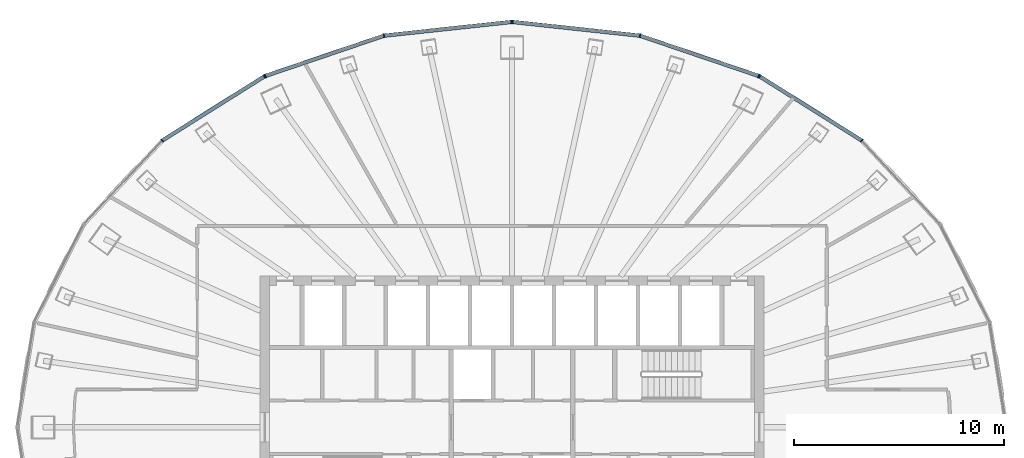
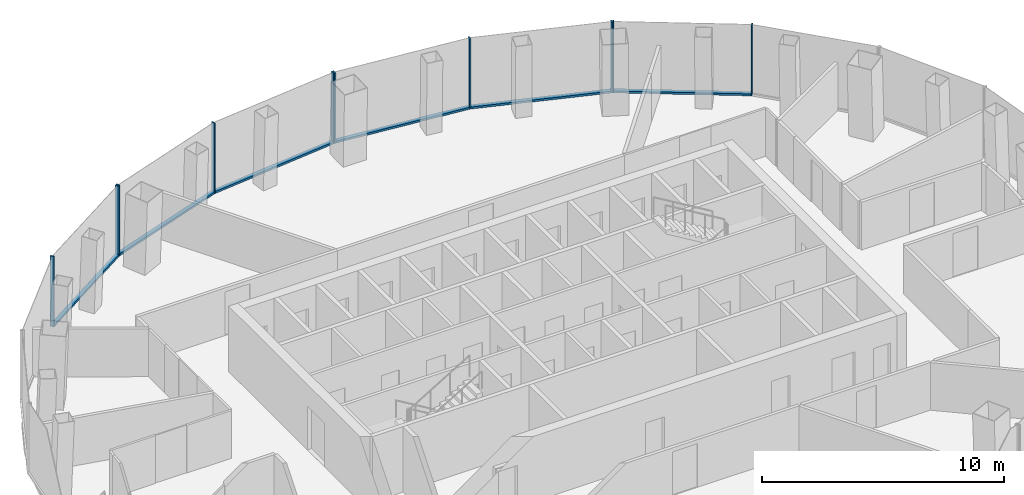
# One storey, part 7 of 13: 16 members, 4 elements without a shape of their own.
"""IFC4 building model written with IfcOpenShell, lengths in metres."""

from ifc_helpers import new_model, si_unit, direction, frame, origin, origin_2d, place, context, subcontext, project, spatial, rectangle, extrude, material, layer, layer_set, material_profile, profile_set, type_object, element, aggregate, save


model = new_model("IFC4")

# Units and contexts
model_context = context("Model", 3, precision=1e-05, world=origin(), true_north=direction((0.0, 1.0)))
body_context = subcontext(model_context, "Body", "Model", "MODEL_VIEW")
ifc_project = project(units=[si_unit("LENGTHUNIT", "METRE"), si_unit("AREAUNIT", "SQUARE_METRE"), si_unit("VOLUMEUNIT", "CUBIC_METRE"), si_unit("PLANEANGLEUNIT", "RADIAN"), si_unit("MASSUNIT", "GRAM", prefix="KILO")], contexts=[model_context])

# Site, building, storey
site_placement = place(None, origin())
site = spatial("IfcSite", under=ifc_project, at=site_placement, CompositionType="ELEMENT")
building_placement = place(site_placement, origin())
building = spatial("IfcBuilding", under=site, at=building_placement, Name="Siaravel Broadcast Tower", CompositionType="ELEMENT")
storey_placement = place(building_placement, frame((0.0, 0.0, 175.60009765625)))
storey = spatial("IfcBuildingStorey", under=building, at=storey_placement, Name="L42", CompositionType="ELEMENT", Elevation=175.60009765625)

# Curtain wall, members
ifc_material = material(Name="Aluminium 6063-T6", Category="aluminium")
ifc_layer = layer(ifc_material, 0.179931640625)
ifc_layer_set = layer_set([ifc_layer], Name="Aluminium 6063-T6")
curtain_wall_type = type_object("IfcCurtainWallType", Name="Unitised curtain wall, zone 3", PredefinedType="NOTDEFINED", material=ifc_layer_set)
curtain_wall_1_placement = place(storey_placement, origin())
curtain_wall_1 = element("IfcCurtainWall", 1, at=curtain_wall_1_placement, inside=storey, type_object=curtain_wall_type, Name="L42 Unitised curtain wall, zone 3 02", PredefinedType="NOTDEFINED")
ifc_material_profile_1 = material_profile(ifc_material, rectangle(XDim=0.179931640625, YDim=0.06005859375, at=origin_2d()))
ifc_profile_set_1 = profile_set([ifc_material_profile_1], Name="Aluminium 6063-T6")
member_type_1 = type_object("IfcMemberType", Name="CW-Z3 mullion", PredefinedType="MULLION", material=ifc_profile_set_1)
member_1_placement = place(storey_placement, frame((16.6689453125, 13.66650390625, 0.0), z_axis=(0.0, 0.0, 1.0), x_axis=(-0.63621823, -0.771509147, 0.0)))
member_1 = element("IfcMember", 2, at=member_1_placement, type_object=member_type_1, Name="CW-Z3 mullion 2", PredefinedType="MULLION", context=body_context, shape_type="SweptSolid", body=[
    extrude(rectangle(XDim=0.179931640625, YDim=0.06005859375, at=origin_2d()), origin(), (0.0, 0.0, 1.0), 3.5498046875),
])
member_2_placement = place(storey_placement, frame((11.81103515625, 16.7197265625, 0.0), z_axis=(0.0, 0.0, 1.0), x_axis=(-0.532148789, -0.846650852, 0.0)))
member_2 = element("IfcMember", 3, at=member_2_placement, type_object=member_type_1, Name="CW-Z3 mullion 3", PredefinedType="MULLION", context=body_context, shape_type="SweptSolid", body=[
    extrude(rectangle(XDim=0.179931640625, YDim=0.06005859375, at=origin_2d()), origin(), (0.0, 0.0, 1.0), 3.5498046875),
])

curtain_wall_2_placement = place(storey_placement, origin())
curtain_wall_2 = element("IfcCurtainWall", 4, at=curtain_wall_2_placement, inside=storey, type_object=curtain_wall_type, Name="L42 Unitised curtain wall, zone 3 03", PredefinedType="NOTDEFINED")
member_3_placement = place(storey_placement, frame((11.75732421875, 16.745361328125, 0.0), z_axis=(0.0, 0.0, 1.0), x_axis=(-0.321300283, -0.946977364, 0.0)))
member_3 = element("IfcMember", 5, at=member_3_placement, type_object=member_type_1, Name="CW-Z3 mullion 1", PredefinedType="MULLION", context=body_context, shape_type="SweptSolid", body=[
    extrude(rectangle(XDim=0.179931640625, YDim=0.06005859375, at=origin_2d()), origin(), (0.0, 0.0, 1.0), 3.5498046875),
])
member_4_placement = place(storey_placement, frame((6.100341796875, 18.664794921875, 0.0), z_axis=(0.0, 0.0, 1.0), x_axis=(-0.215557831, -0.976491076, 0.0)))
member_4 = element("IfcMember", 6, at=member_4_placement, type_object=member_type_1, Name="CW-Z3 mullion 2", PredefinedType="MULLION", context=body_context, shape_type="SweptSolid", body=[
    extrude(rectangle(XDim=0.179931640625, YDim=0.06005859375, at=origin_2d()), origin(), (0.0, 0.0, 1.0), 3.5498046875),
])
member_5_placement = place(storey_placement, frame((0.02978515625, 19.3193359375, 0.0), z_axis=(0.0, 0.0, 1.0), x_axis=(-0.107217362, -0.994235605, 0.0)))
member_5 = element("IfcMember", 7, at=member_5_placement, type_object=member_type_1, Name="CW-Z3 mullion 3", PredefinedType="MULLION", context=body_context, shape_type="SweptSolid", body=[
    extrude(rectangle(XDim=0.179931640625, YDim=0.06005859375, at=origin_2d()), origin(), (0.0, 0.0, 1.0), 3.5498046875),
])

curtain_wall_3_placement = place(storey_placement, origin())
curtain_wall_3 = element("IfcCurtainWall", 8, at=curtain_wall_3_placement, inside=storey, type_object=curtain_wall_type, Name="L42 Unitised curtain wall, zone 3 04", PredefinedType="NOTDEFINED")
member_6_placement = place(storey_placement, frame((-0.02978515625, 19.3193359375, 0.0), z_axis=(0.0, 0.0, 1.0), x_axis=(0.107217362, -0.994235605, 0.0)))
member_6 = element("IfcMember", 9, at=member_6_placement, type_object=member_type_1, Name="CW-Z3 mullion 1", PredefinedType="MULLION", context=body_context, shape_type="SweptSolid", body=[
    extrude(rectangle(XDim=0.179931640625, YDim=0.06005859375, at=origin_2d()), origin(), (0.0, 0.0, 1.0), 3.5498046875),
])
member_7_placement = place(storey_placement, frame((-6.100341796875, 18.664794921875, 0.0), z_axis=(0.0, 0.0, 1.0), x_axis=(0.215557831, -0.976491076, 0.0)))
member_7 = element("IfcMember", 10, at=member_7_placement, type_object=member_type_1, Name="CW-Z3 mullion 2", PredefinedType="MULLION", context=body_context, shape_type="SweptSolid", body=[
    extrude(rectangle(XDim=0.179931640625, YDim=0.06005859375, at=origin_2d()), origin(), (0.0, 0.0, 1.0), 3.5498046875),
])
member_8_placement = place(storey_placement, frame((-11.75732421875, 16.745361328125, 0.0), z_axis=(0.0, 0.0, 1.0), x_axis=(0.321300283, -0.946977364, 0.0)))
member_8 = element("IfcMember", 11, at=member_8_placement, type_object=member_type_1, Name="CW-Z3 mullion 3", PredefinedType="MULLION", context=body_context, shape_type="SweptSolid", body=[
    extrude(rectangle(XDim=0.179931640625, YDim=0.06005859375, at=origin_2d()), origin(), (0.0, 0.0, 1.0), 3.5498046875),
])

curtain_wall_4_placement = place(storey_placement, origin())
curtain_wall_4 = element("IfcCurtainWall", 12, at=curtain_wall_4_placement, inside=storey, type_object=curtain_wall_type, Name="L42 Unitised curtain wall, zone 3 05", PredefinedType="NOTDEFINED")
member_9_placement = place(storey_placement, frame((-11.81103515625, 16.7197265625, 0.0), z_axis=(0.0, 0.0, 1.0), x_axis=(0.532148789, -0.846650852, 0.0)))
member_9 = element("IfcMember", 13, at=member_9_placement, type_object=member_type_1, Name="CW-Z3 mullion 1", PredefinedType="MULLION", context=body_context, shape_type="SweptSolid", body=[
    extrude(rectangle(XDim=0.179931640625, YDim=0.06005859375, at=origin_2d()), origin(), (0.0, 0.0, 1.0), 3.5498046875),
])
member_10_placement = place(storey_placement, frame((-16.6689453125, 13.66650390625, 0.0), z_axis=(0.0, 0.0, 1.0), x_axis=(0.63621823, -0.771509147, 0.0)))
member_10 = element("IfcMember", 14, at=member_10_placement, type_object=member_type_1, Name="CW-Z3 mullion 2", PredefinedType="MULLION", context=body_context, shape_type="SweptSolid", body=[
    extrude(rectangle(XDim=0.179931640625, YDim=0.06005859375, at=origin_2d()), origin(), (0.0, 0.0, 1.0), 3.5498046875),
])

# Member
ifc_material_profile_2 = material_profile(ifc_material, rectangle(XDim=0.179931640625, YDim=0.10009765625, at=origin_2d()))
ifc_profile_set_2 = profile_set([ifc_material_profile_2], Name="Aluminium 6063-T6")
member_type_2 = type_object("IfcMemberType", Name="CW-Z3 transom", PredefinedType="USERDEFINED", material=ifc_profile_set_2)
member_11_placement = place(storey_placement, frame((16.6435546875, 13.682373046875, 0.0498046875), z_axis=(-0.84664762, 0.532153933, 0.0), x_axis=(-0.532153933, -0.84664762, 0.0)))
member_11 = element("IfcMember", 15, at=member_11_placement, type_object=member_type_2, Name="CW-Z3 transom 2", ObjectType="TRANSOM", PredefinedType="USERDEFINED", context=body_context, shape_type="SweptSolid", body=[
    extrude(rectangle(XDim=0.179931640625, YDim=0.10009765625, at=origin_2d()), origin(), (0.0, 0.0, 1.0), 5.677734375),
])

aggregate(curtain_wall_1, [member_1, member_2, member_11])

member_12_placement = place(storey_placement, frame((11.72900390625, 16.7548828125, 0.0498046875), z_axis=(-0.946972868, 0.321313534, 0.0), x_axis=(-0.321313534, -0.946972868, 0.0)))
member_12 = element("IfcMember", 16, at=member_12_placement, type_object=member_type_2, Name="CW-Z3 transom 1", ObjectType="TRANSOM", PredefinedType="USERDEFINED", context=body_context, shape_type="SweptSolid", body=[
    extrude(rectangle(XDim=0.179931640625, YDim=0.10009765625, at=origin_2d()), origin(), (0.0, 0.0, 1.0), 5.91357421875),
])

member_13_placement = place(storey_placement, frame((6.070556640625, 18.66796875, 0.0498046875), z_axis=(-0.994235587, 0.107217526, 0.0), x_axis=(-0.107217526, -0.994235587, 0.0)))
member_13 = element("IfcMember", 17, at=member_13_placement, type_object=member_type_2, Name="CW-Z3 transom 2", ObjectType="TRANSOM", PredefinedType="USERDEFINED", context=body_context, shape_type="SweptSolid", body=[
    extrude(rectangle(XDim=0.179931640625, YDim=0.10009765625, at=origin_2d()), origin(), (0.0, 0.0, 1.0), 6.045654296875),
])

aggregate(curtain_wall_2, [member_3, member_4, member_5, member_12, member_13])

member_14_placement = place(storey_placement, frame((-0.059814453125, 19.316162109375, 0.0498046875), z_axis=(-0.994235587, -0.107217526, 0.0), x_axis=(0.107217526, -0.994235587, 0.0)))
member_14 = element("IfcMember", 18, at=member_14_placement, type_object=member_type_2, Name="CW-Z3 transom 1", ObjectType="TRANSOM", PredefinedType="USERDEFINED", context=body_context, shape_type="SweptSolid", body=[
    extrude(rectangle(XDim=0.179931640625, YDim=0.10009765625, at=origin_2d()), origin(), (0.0, 0.0, 1.0), 6.045654296875),
])

member_15_placement = place(storey_placement, frame((-6.12890625, 18.655029296875, 0.0498046875), z_axis=(-0.946972868, -0.321313534, 0.0), x_axis=(0.321313534, -0.946972868, 0.0)))
member_15 = element("IfcMember", 19, at=member_15_placement, type_object=member_type_2, Name="CW-Z3 transom 2", ObjectType="TRANSOM", PredefinedType="USERDEFINED", context=body_context, shape_type="SweptSolid", body=[
    extrude(rectangle(XDim=0.179931640625, YDim=0.10009765625, at=origin_2d()), origin(), (0.0, 0.0, 1.0), 5.91357421875),
])

aggregate(curtain_wall_3, [member_6, member_7, member_8, member_14, member_15])

member_16_placement = place(storey_placement, frame((-11.83642578125, 16.703857421875, 0.0498046875), z_axis=(-0.84664762, -0.532153933, 0.0), x_axis=(0.532153933, -0.84664762, 0.0)))
member_16 = element("IfcMember", 20, at=member_16_placement, type_object=member_type_2, Name="CW-Z3 transom 1", ObjectType="TRANSOM", PredefinedType="USERDEFINED", context=body_context, shape_type="SweptSolid", body=[
    extrude(rectangle(XDim=0.179931640625, YDim=0.10009765625, at=origin_2d()), origin(), (0.0, 0.0, 1.0), 5.677734375),
])

aggregate(curtain_wall_4, [member_9, member_10, member_16])

save(model, "model.ifc")
